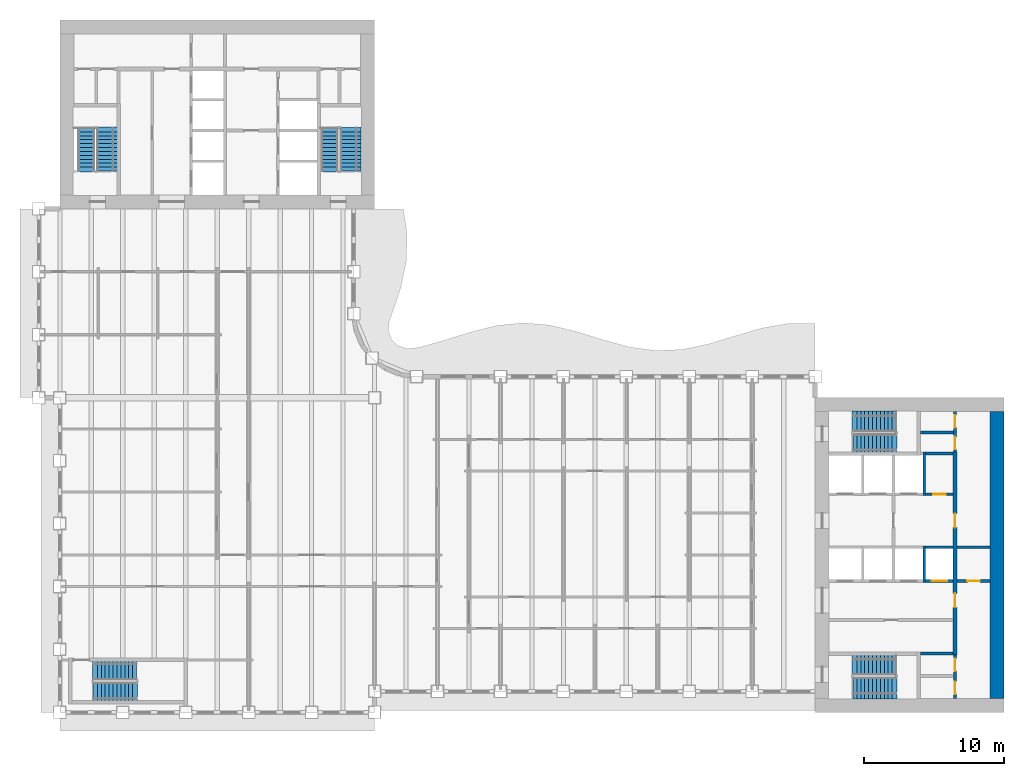
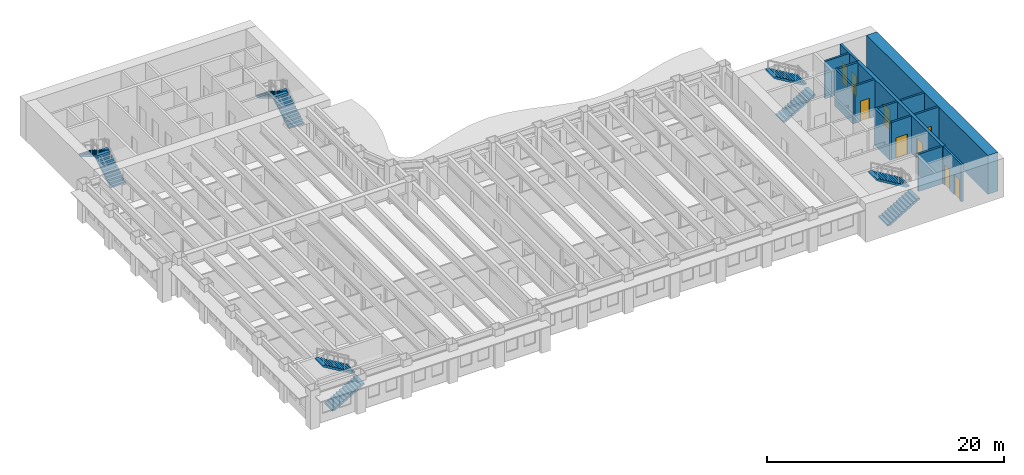
# One storey, part 10 of 16: 14 walls, 10 stair flights, 9 doors, 9 openings, 5 elements without a shape of their own.
"""IFC4 building model written with IfcOpenShell, lengths in metres."""

from ifc_helpers import new_model, si_unit, direction, frame, frame_2d, origin, place, context, subcontext, project, spatial, polyline, rectangle, outline, extrude, material, layer, layer_set, type_object, element, fill, aggregate, save


model = new_model("IFC4")

# Units and contexts
model_context = context("Model", 3, precision=1e-05, world=origin(), true_north=direction((0.0, 1.0)))
body_context = subcontext(model_context, "Body", "Model", "MODEL_VIEW")
ifc_project = project(units=[si_unit("LENGTHUNIT", "METRE"), si_unit("AREAUNIT", "SQUARE_METRE"), si_unit("VOLUMEUNIT", "CUBIC_METRE"), si_unit("PLANEANGLEUNIT", "RADIAN"), si_unit("MASSUNIT", "GRAM", prefix="KILO")], contexts=[model_context])

# Site, building, storey
site_placement = place(None, origin())
site = spatial("IfcSite", under=ifc_project, at=site_placement, CompositionType="ELEMENT")
building_placement = place(site_placement, origin())
building = spatial("IfcBuilding", under=site, at=building_placement, Name="Sennacour Bend Tower", CompositionType="ELEMENT")
storey_placement = place(building_placement, frame((0.0, 0.0, 179.0)))
storey = spatial("IfcBuildingStorey", under=building, at=storey_placement, Name="L41", CompositionType="ELEMENT", Elevation=179.0)

# Wall
ifc_material_1 = material(Name="Concrete C60/75", Category="concrete")
ifc_layer_1 = layer(ifc_material_1, 1.0, Name="Concrete C60/75", Category="concrete")
ifc_layer_set_1 = layer_set([ifc_layer_1], Name="Concrete C60/75")
wall_type_1 = type_object("IfcWallType", Name="Core wall 1000 C60/75", PredefinedType="SHEAR", material=ifc_layer_set_1)
wall_1_placement = place(storey_placement, frame((67.0, 1.0, -0.14990234375), z_axis=(0.0, 0.0, 1.0), x_axis=(0.0, 1.0, 0.0)))
element("IfcWall", 1, at=wall_1_placement, inside=storey, type_object=wall_type_1, Name="Core A wall L41 E", PredefinedType="SHEAR", context=body_context, shape_type="SweptSolid", body=[
    extrude(rectangle(XDim=20.5, YDim=1.0, at=frame_2d((10.25, 0.0))), origin(), (0.0, 0.0, 1.0), 4.0),
])

# Wall, openings, doors
ifc_material_2 = material(Name="Fire-rated plasterboard partition on steel studs", Category="steel")
ifc_layer_2 = layer(ifc_material_2, 0.199951171875, Name="Fire-rated plasterboard partition on steel studs", Category="steel")
ifc_layer_set_2 = layer_set([ifc_layer_2], Name="Fire-rated plasterboard partition on steel studs")
wall_type_2 = type_object("IfcWallType", Name="Rated partition 200", PredefinedType="PARTITIONING", material=ifc_layer_set_2)
wall_2_placement = place(storey_placement, frame((64.0, 1.0, 0.0), z_axis=(0.0, 0.0, 1.0), x_axis=(0.0, 1.0, 0.0)))
wall_2 = element("IfcWall", 2, at=wall_2_placement, inside=storey, type_object=wall_type_2, Name="P-L41-W049", PredefinedType="PARTITIONING", context=body_context, shape_type="SweptSolid", body=[
    extrude(rectangle(XDim=3.10009765625, YDim=0.199951171875, at=frame_2d((1.550048828125, 0.0))), origin(), (0.0, 0.0, 1.0), 3.85009765625),
])
opening_1_placement = place(wall_2_placement, frame((0.300048828125, 0.0, 0.0)))
opening_1 = element("IfcOpeningElement", 3, at=opening_1_placement, cuts=wall_2, Name="Opening SV", PredefinedType="OPENING", context=body_context, shape_type="SweptSolid", body=[
    extrude(rectangle(XDim=0.89990234375, YDim=2.10009765625, at=frame_2d((0.449951171875, 1.050048828125))), frame((0.0, 0.10986328125, 0.0), z_axis=(0.0, -1.0, 0.0), x_axis=(1.0, 0.0, 0.0)), (0.0, 0.0, 1.0), 0.219970703125),
])
opening_2_placement = place(wall_2_placement, frame((1.949951171875, 0.0, 0.0)))
opening_2 = element("IfcOpeningElement", 4, at=opening_2_placement, cuts=wall_2, Name="Opening WD", PredefinedType="OPENING", context=body_context, shape_type="SweptSolid", body=[
    extrude(rectangle(XDim=0.89990234375, YDim=2.10009765625, at=frame_2d((0.449951171875, 1.050048828125))), frame((0.0, 0.10986328125, 0.0), z_axis=(0.0, -1.0, 0.0), x_axis=(1.0, 0.0, 0.0)), (0.0, 0.0, 1.0), 0.219970703125),
])
ifc_material_3 = material(Name="Painted steel", Category="steel")
door_type_1 = type_object("IfcDoorType", Name="DR-SERVICE-900", OperationType="NOTDEFINED", PredefinedType="DOOR", material=ifc_material_3)
door_1_placement = place(opening_1_placement, origin())
door_1 = element("IfcDoor", 5, at=door_1_placement, inside=storey, type_object=door_type_1, Name="Door", OperationType="SINGLE_SWING_LEFT", OverallHeight=2.10009765625, OverallWidth=0.89990234375, PredefinedType="DOOR", context=body_context, shape_type="SweptSolid", body=[
    extrude(rectangle(XDim=0.89990234375, YDim=2.10009765625, at=frame_2d((0.449951171875, 1.050048828125))), frame((0.0, 0.02490234375, 0.0), z_axis=(0.0, -1.0, 0.0), x_axis=(1.0, 0.0, 0.0)), (0.0, 0.0, 1.0), 0.050048828125),
])
fill(opening_1, door_1)
ifc_material_4 = material(Name="Timber", Category="wood")
door_type_2 = type_object("IfcDoorType", Name="DR-WC-900", OperationType="NOTDEFINED", PredefinedType="DOOR", material=ifc_material_4)
door_2_placement = place(opening_2_placement, origin())
door_2 = element("IfcDoor", 6, at=door_2_placement, inside=storey, type_object=door_type_2, Name="Door", OperationType="SINGLE_SWING_RIGHT", OverallHeight=2.10009765625, OverallWidth=0.89990234375, PredefinedType="DOOR", context=body_context, shape_type="SweptSolid", body=[
    extrude(rectangle(XDim=0.89990234375, YDim=2.10009765625, at=frame_2d((0.449951171875, 1.050048828125))), frame((0.0, 0.02490234375, 0.0), z_axis=(0.0, -1.0, 0.0), x_axis=(1.0, 0.0, 0.0)), (0.0, 0.0, 1.0), 0.050048828125),
])
fill(opening_2, door_2)

wall_3_placement = place(storey_placement, frame((64.0, 18.60009765625, 0.0), z_axis=(0.0, 0.0, 1.0), x_axis=(0.0, 1.0, 0.0)))
wall_3 = element("IfcWall", 7, at=wall_3_placement, inside=storey, type_object=wall_type_2, Name="P-L41-W051", PredefinedType="PARTITIONING", context=body_context, shape_type="SweptSolid", body=[
    extrude(rectangle(XDim=2.89990234375, YDim=0.199951171875, at=frame_2d((1.449951171875, 0.0))), origin(), (0.0, 0.0, 1.0), 3.85009765625),
])
opening_3_placement = place(wall_3_placement, frame((0.199951171875, 0.0, 0.0)))
opening_3 = element("IfcOpeningElement", 8, at=opening_3_placement, cuts=wall_3, Name="Opening SV", PredefinedType="OPENING", context=body_context, shape_type="SweptSolid", body=[
    extrude(rectangle(XDim=0.89990234375, YDim=2.10009765625, at=frame_2d((0.449951171875, 1.050048828125))), frame((0.0, 0.10986328125, 0.0), z_axis=(0.0, -1.0, 0.0), x_axis=(1.0, 0.0, 0.0)), (0.0, 0.0, 1.0), 0.219970703125),
])
opening_4_placement = place(wall_3_placement, frame((1.75, 0.0, 0.0)))
opening_4 = element("IfcOpeningElement", 9, at=opening_4_placement, cuts=wall_3, Name="Opening SV", PredefinedType="OPENING", context=body_context, shape_type="SweptSolid", body=[
    extrude(rectangle(XDim=0.89990234375, YDim=2.10009765625, at=frame_2d((0.449951171875, 1.050048828125))), frame((0.0, 0.10986328125, 0.0), z_axis=(0.0, -1.0, 0.0), x_axis=(1.0, 0.0, 0.0)), (0.0, 0.0, 1.0), 0.219970703125),
])
door_3_placement = place(opening_3_placement, origin())
door_3 = element("IfcDoor", 10, at=door_3_placement, inside=storey, type_object=door_type_1, Name="Door", OperationType="SINGLE_SWING_LEFT", OverallHeight=2.10009765625, OverallWidth=0.89990234375, PredefinedType="DOOR", context=body_context, shape_type="SweptSolid", body=[
    extrude(rectangle(XDim=0.89990234375, YDim=2.10009765625, at=frame_2d((0.449951171875, 1.050048828125))), frame((0.0, 0.02490234375, 0.0), z_axis=(0.0, -1.0, 0.0), x_axis=(1.0, 0.0, 0.0)), (0.0, 0.0, 1.0), 0.050048828125),
])
fill(opening_3, door_3)
door_4_placement = place(opening_4_placement, origin())
door_4 = element("IfcDoor", 11, at=door_4_placement, inside=storey, type_object=door_type_1, Name="Door", OperationType="SINGLE_SWING_RIGHT", OverallHeight=2.10009765625, OverallWidth=0.89990234375, PredefinedType="DOOR", context=body_context, shape_type="SweptSolid", body=[
    extrude(rectangle(XDim=0.89990234375, YDim=2.10009765625, at=frame_2d((0.449951171875, 1.050048828125))), frame((0.0, 0.02490234375, 0.0), z_axis=(0.0, -1.0, 0.0), x_axis=(1.0, 0.0, 0.0)), (0.0, 0.0, 1.0), 0.050048828125),
])
fill(opening_4, door_4)

# Wall
wall_4_placement = place(storey_placement, frame((61.52490234375, 4.199951171875, 0.0), z_axis=(0.0, 0.0, 1.0), x_axis=(1.0, 0.0, 0.0)))
element("IfcWall", 12, at=wall_4_placement, inside=storey, type_object=wall_type_2, Name="P-L41-W060", PredefinedType="PARTITIONING", context=body_context, shape_type="SweptSolid", body=[
    extrude(rectangle(XDim=2.3251953125, YDim=0.199951171875, at=frame_2d((1.16259765625, 0.0))), origin(), (0.0, 0.0, 1.0), 3.85009765625),
])

# Wall, opening, door
wall_5_placement = place(storey_placement, frame((64.14990234375, 9.39990234375, 0.0), z_axis=(0.0, 0.0, 1.0), x_axis=(1.0, 0.0, 0.0)))
wall_5 = element("IfcWall", 13, at=wall_5_placement, inside=storey, type_object=wall_type_2, Name="P-L41-W066", PredefinedType="PARTITIONING", context=body_context, shape_type="SweptSolid", body=[
    extrude(rectangle(XDim=2.35009765625, YDim=0.199951171875, at=frame_2d((1.175048828125, 0.0))), origin(), (0.0, 0.0, 1.0), 3.85009765625),
])
opening_5_placement = place(wall_5_placement, frame((0.72509765625, 0.0, 0.0)))
opening_5 = element("IfcOpeningElement", 14, at=opening_5_placement, cuts=wall_5, Name="Opening SV", PredefinedType="OPENING", context=body_context, shape_type="SweptSolid", body=[
    extrude(rectangle(XDim=0.89990234375, YDim=2.10009765625, at=frame_2d((0.449951171875, 1.050048828125))), frame((0.0, 0.10986328125, 0.0), z_axis=(0.0, -1.0, 0.0), x_axis=(1.0, 0.0, 0.0)), (0.0, 0.0, 1.0), 0.219970703125),
])
door_5_placement = place(opening_5_placement, origin())
door_5 = element("IfcDoor", 15, at=door_5_placement, inside=storey, type_object=door_type_1, Name="Door", OperationType="SINGLE_SWING_LEFT", OverallHeight=2.10009765625, OverallWidth=0.89990234375, PredefinedType="DOOR", context=body_context, shape_type="SweptSolid", body=[
    extrude(rectangle(XDim=0.89990234375, YDim=2.10009765625, at=frame_2d((0.449951171875, 1.050048828125))), frame((0.0, 0.02490234375, 0.0), z_axis=(0.0, -1.0, 0.0), x_axis=(1.0, 0.0, 0.0)), (0.0, 0.0, 1.0), 0.050048828125),
])
fill(opening_5, door_5)

# Wall
wall_6_placement = place(storey_placement, frame((64.14990234375, 11.800048828125, 0.0), z_axis=(0.0, 0.0, 1.0), x_axis=(1.0, 0.0, 0.0)))
element("IfcWall", 16, at=wall_6_placement, inside=storey, type_object=wall_type_2, Name="P-L41-W070", PredefinedType="PARTITIONING", context=body_context, shape_type="SweptSolid", body=[
    extrude(rectangle(XDim=2.35009765625, YDim=0.199951171875, at=frame_2d((1.175048828125, 0.0))), origin(), (0.0, 0.0, 1.0), 3.85009765625),
])

# Wall, opening, door
wall_7_placement = place(storey_placement, frame((61.89990234375, 15.60009765625, 0.0), z_axis=(0.0, 0.0, 1.0), x_axis=(1.0, 0.0, 0.0)))
wall_7 = element("IfcWall", 17, at=wall_7_placement, inside=storey, type_object=wall_type_2, Name="P-L41-W073", PredefinedType="PARTITIONING", context=body_context, shape_type="SweptSolid", body=[
    extrude(rectangle(XDim=1.9501953125, YDim=0.199951171875, at=frame_2d((0.97509765625, 0.0))), origin(), (0.0, 0.0, 1.0), 3.85009765625),
])
opening_6_placement = place(wall_7_placement, frame((0.525146484375, 0.0, 0.0)))
opening_6 = element("IfcOpeningElement", 18, at=opening_6_placement, cuts=wall_7, Name="Opening SV", PredefinedType="OPENING", context=body_context, shape_type="SweptSolid", body=[
    extrude(rectangle(XDim=0.89990234375, YDim=2.10009765625, at=frame_2d((0.449951171875, 1.050048828125))), frame((0.0, 0.10986328125, 0.0), z_axis=(0.0, -1.0, 0.0), x_axis=(1.0, 0.0, 0.0)), (0.0, 0.0, 1.0), 0.219970703125),
])
door_6_placement = place(opening_6_placement, origin())
door_6 = element("IfcDoor", 19, at=door_6_placement, inside=storey, type_object=door_type_1, Name="Door", OperationType="SINGLE_SWING_LEFT", OverallHeight=2.10009765625, OverallWidth=0.89990234375, PredefinedType="DOOR", context=body_context, shape_type="SweptSolid", body=[
    extrude(rectangle(XDim=0.89990234375, YDim=2.10009765625, at=frame_2d((0.449951171875, 1.050048828125))), frame((0.0, 0.02490234375, 0.0), z_axis=(0.0, -1.0, 0.0), x_axis=(1.0, 0.0, 0.0)), (0.0, 0.0, 1.0), 0.050048828125),
])
fill(opening_6, door_6)

# Walls
wall_8_placement = place(storey_placement, frame((61.89990234375, 18.5, 0.0), z_axis=(0.0, 0.0, 1.0), x_axis=(1.0, 0.0, 0.0)))
element("IfcWall", 20, at=wall_8_placement, inside=storey, type_object=wall_type_2, Name="P-L41-W078", PredefinedType="PARTITIONING", context=body_context, shape_type="SweptSolid", body=[
    extrude(rectangle(XDim=1.9501953125, YDim=0.199951171875, at=frame_2d((0.97509765625, 0.0))), origin(), (0.0, 0.0, 1.0), 3.85009765625),
])
wall_9_placement = place(storey_placement, frame((61.52490234375, 20.0, 0.0), z_axis=(0.0, 0.0, 1.0), x_axis=(1.0, 0.0, 0.0)))
element("IfcWall", 21, at=wall_9_placement, inside=storey, type_object=wall_type_2, Name="P-L41-W080", PredefinedType="PARTITIONING", context=body_context, shape_type="SweptSolid", body=[
    extrude(rectangle(XDim=2.375, YDim=0.199951171875, at=frame_2d((1.1875, 0.0))), origin(), (0.0, 0.0, 1.0), 3.85009765625),
])
ifc_material_5 = material(Name="Concrete C50/60", Category="concrete")
ifc_layer_3 = layer(ifc_material_5, 0.199951171875, Name="Concrete C50/60", Category="concrete")
ifc_layer_set_3 = layer_set([ifc_layer_3], Name="Concrete C50/60")
wall_type_3 = type_object("IfcWallType", Name="Shaft wall 200", PredefinedType="SOLIDWALL", material=ifc_layer_set_3)
wall_10_placement = place(storey_placement, frame((61.800048828125, 9.300048828125, 0.0), z_axis=(0.0, 0.0, 1.0), x_axis=(0.0, 1.0, 0.0)))
element("IfcWall", 22, at=wall_10_placement, inside=storey, type_object=wall_type_3, Name="P-L41-W047", PredefinedType="SOLIDWALL", context=body_context, shape_type="SweptSolid", body=[
    extrude(rectangle(XDim=2.599853515625, YDim=0.199951171875, at=frame_2d((1.2998046875, 0.0))), origin(), (0.0, 0.0, 1.0), 3.85009765625),
])
wall_11_placement = place(storey_placement, frame((61.800048828125, 15.5, 0.0), z_axis=(0.0, 0.0, 1.0), x_axis=(0.0, 1.0, 0.0)))
element("IfcWall", 23, at=wall_11_placement, inside=storey, type_object=wall_type_3, Name="P-L41-W048", PredefinedType="SOLIDWALL", context=body_context, shape_type="SweptSolid", body=[
    extrude(rectangle(XDim=3.10009765625, YDim=0.199951171875, at=frame_2d((1.550048828125, 0.0))), origin(), (0.0, 0.0, 1.0), 3.85009765625),
])

# Wall, opening, door
wall_12_placement = place(storey_placement, frame((61.89990234375, 9.39990234375, 0.0), z_axis=(0.0, 0.0, 1.0), x_axis=(1.0, 0.0, 0.0)))
wall_12 = element("IfcWall", 24, at=wall_12_placement, inside=storey, type_object=wall_type_3, Name="P-L41-W065d", PredefinedType="SOLIDWALL", context=body_context, shape_type="SweptSolid", body=[
    extrude(rectangle(XDim=1.9501953125, YDim=0.199951171875, at=frame_2d((0.97509765625, 0.0))), origin(), (0.0, 0.0, 1.0), 3.85009765625),
])
opening_7_placement = place(wall_12_placement, frame((0.425048828125, 0.0, 0.011962890625)))
opening_7 = element("IfcOpeningElement", 25, at=opening_7_placement, cuts=wall_12, Name="Opening LD", PredefinedType="OPENING", context=body_context, shape_type="SweptSolid", body=[
    extrude(rectangle(XDim=1.10009765625, YDim=2.10009765625, at=frame_2d((0.550048828125, 1.050048828125))), frame((0.0, 0.10986328125, 0.0), z_axis=(0.0, -1.0, 0.0), x_axis=(1.0, 0.0, 0.0)), (0.0, 0.0, 1.0), 0.219970703125),
])
ifc_material_6 = material(Name="Stainless steel", Category="steel")
door_type_3 = type_object("IfcDoorType", Name="DR-LANDING-1100", OperationType="NOTDEFINED", PredefinedType="DOOR", material=ifc_material_6)
door_7_placement = place(opening_7_placement, origin())
door_7 = element("IfcDoor", 26, at=door_7_placement, inside=storey, type_object=door_type_3, Name="Lift landing door HA4", OperationType="SLIDING_TO_RIGHT", OverallHeight=2.10009765625, OverallWidth=1.10009765625, PredefinedType="DOOR", context=body_context, shape_type="SweptSolid", body=[
    extrude(rectangle(XDim=1.10009765625, YDim=2.10009765625, at=frame_2d((0.550048828125, 1.050048828125))), frame((0.0, 0.02490234375, 0.0), z_axis=(0.0, -1.0, 0.0), x_axis=(1.0, 0.0, 0.0)), (0.0, 0.0, 1.0), 0.050048828125),
])
fill(opening_7, door_7)

# Wall
wall_13_placement = place(storey_placement, frame((61.89990234375, 11.800048828125, 0.0), z_axis=(0.0, 0.0, 1.0), x_axis=(1.0, 0.0, 0.0)))
element("IfcWall", 27, at=wall_13_placement, inside=storey, type_object=wall_type_3, Name="P-L41-W069d", PredefinedType="SOLIDWALL", context=body_context, shape_type="SweptSolid", body=[
    extrude(rectangle(XDim=1.9501953125, YDim=0.199951171875, at=frame_2d((0.97509765625, 0.0))), origin(), (0.0, 0.0, 1.0), 3.85009765625),
])

# Wall, openings, doors
ifc_layer_4 = layer(ifc_material_1, 0.300048828125, Name="Concrete C60/75", Category="concrete")
ifc_layer_set_4 = layer_set([ifc_layer_4], Name="Concrete C60/75")
wall_type_4 = type_object("IfcWallType", Name="Spine wall 300", PredefinedType="SHEAR", material=ifc_layer_set_4)
wall_14_placement = place(storey_placement, frame((64.0, 4.10009765625, 0.0), z_axis=(0.0, 0.0, 1.0), x_axis=(0.0, 1.0, 0.0)))
wall_14 = element("IfcWall", 28, at=wall_14_placement, inside=storey, type_object=wall_type_4, Name="P-L41-W050", PredefinedType="SHEAR", context=body_context, shape_type="SweptSolid", body=[
    extrude(rectangle(XDim=14.5, YDim=0.300048828125, at=frame_2d((7.25, 0.0))), origin(), (0.0, 0.0, 1.0), 3.85009765625),
])
opening_8_placement = place(wall_14_placement, frame((3.39990234375, 0.0, 0.0)))
opening_8 = element("IfcOpeningElement", 29, at=opening_8_placement, cuts=wall_14, Name="Opening CD2", PredefinedType="OPENING", context=body_context, shape_type="SweptSolid", body=[
    extrude(rectangle(XDim=1.0, YDim=2.10009765625, at=frame_2d((0.5, 1.050048828125))), frame((0.0, 0.16015625, 0.0), z_axis=(0.0, -1.0, 0.0), x_axis=(1.0, 0.0, 0.0)), (0.0, 0.0, 1.0), 0.320068359375),
])
opening_9_placement = place(wall_14_placement, frame((9.099853515625, 0.0, 0.0)))
opening_9 = element("IfcOpeningElement", 30, at=opening_9_placement, cuts=wall_14, Name="Opening CD2", PredefinedType="OPENING", context=body_context, shape_type="SweptSolid", body=[
    extrude(rectangle(XDim=1.0, YDim=2.10009765625, at=frame_2d((0.5, 1.050048828125))), frame((0.0, 0.16015625, 0.0), z_axis=(0.0, -1.0, 0.0), x_axis=(1.0, 0.0, 0.0)), (0.0, 0.0, 1.0), 0.320068359375),
])
door_type_4 = type_object("IfcDoorType", Name="DR-LOBBY-1000", OperationType="NOTDEFINED", PredefinedType="DOOR", material=ifc_material_3)
door_8_placement = place(opening_8_placement, origin())
door_8 = element("IfcDoor", 31, at=door_8_placement, inside=storey, type_object=door_type_4, Name="Door", OperationType="SINGLE_SWING_LEFT", OverallHeight=2.10009765625, OverallWidth=1.0, PredefinedType="DOOR", context=body_context, shape_type="SweptSolid", body=[
    extrude(rectangle(XDim=1.0, YDim=2.10009765625, at=frame_2d((0.5, 1.050048828125))), frame((0.0, 0.02490234375, 0.0), z_axis=(0.0, -1.0, 0.0), x_axis=(1.0, 0.0, 0.0)), (0.0, 0.0, 1.0), 0.050048828125),
])
fill(opening_8, door_8)
door_9_placement = place(opening_9_placement, origin())
door_9 = element("IfcDoor", 32, at=door_9_placement, inside=storey, type_object=door_type_4, Name="Door", OperationType="SINGLE_SWING_RIGHT", OverallHeight=2.10009765625, OverallWidth=1.0, PredefinedType="DOOR", context=body_context, shape_type="SweptSolid", body=[
    extrude(rectangle(XDim=1.0, YDim=2.10009765625, at=frame_2d((0.5, 1.050048828125))), frame((0.0, 0.02490234375, 0.0), z_axis=(0.0, -1.0, 0.0), x_axis=(1.0, 0.0, 0.0)), (0.0, 0.0, 1.0), 0.050048828125),
])
fill(opening_9, door_9)

# Stair, stair flights
ifc_material_7 = material(Name="Concrete C40/50", Category="concrete")
stair_type = type_object("IfcStairType", Name="ST-DOGLEG", PredefinedType="HALF_TURN_STAIR", material=ifc_material_7)
stair_1_placement = place(storey_placement, origin())
stair_1 = element("IfcStair", 33, at=stair_1_placement, inside=storey, type_object=stair_type, Name="L41 Exit stair A1", PredefinedType="HALF_TURN_STAIR")
stair_flight_type = type_object("IfcStairFlightType", Name="SFL-RC", PredefinedType="STRAIGHT", material=ifc_material_7)
stair_flight_1_placement = place(storey_placement, frame((56.699951171875, 1.735107421875, 0.0), z_axis=(0.0, 0.0, 1.0), x_axis=(1.0, 0.0, 0.0)))
stair_flight_1 = element("IfcStairFlight", 34, at=stair_flight_1_placement, type_object=stair_flight_type, Name="SA1 flight 1", NumberOfRisers=12, NumberOfTreads=11, PredefinedType="STRAIGHT", RiserHeight=0.166666667, TreadLength=0.28, context=body_context, shape_type="SweptSolid", body=[
    extrude(outline(polyline([(0.0, 0.0), (0.0, 0.166748046875), (0.280029296875, 0.166748046875), (0.280029296875, 0.333251953125), (0.56005859375, 0.333251953125), (0.56005859375, 0.5), (0.840087890625, 0.5), (0.840087890625, 0.666748046875), (1.1201171875, 0.666748046875), (1.1201171875, 0.833251953125), (1.39990234375, 0.833251953125), (1.39990234375, 1.0), (1.679931640625, 1.0), (1.679931640625, 1.166748046875), (1.9599609375, 1.166748046875), (1.9599609375, 1.333251953125), (2.239990234375, 1.333251953125), (2.239990234375, 1.5), (2.52001953125, 1.5), (2.52001953125, 1.666748046875), (2.800048828125, 1.666748046875), (2.800048828125, 1.833251953125), (3.080078125, 1.833251953125), (3.139892578125, 1.833251953125), (3.139892578125, 1.658935546875), (3.080078125, 1.658935546875), (0.29296875, 0.0), (0.0, 0.0)])), frame((0.0, 0.76513671875, 0.0), z_axis=(0.0, -1.0, 0.0), x_axis=(1.0, 0.0, 0.0)), (0.0, 0.0, 1.0), 1.530029296875),
])
stair_flight_2_placement = place(storey_placement, frame((59.780029296875, 3.37744140625, 2.0), z_axis=(0.0, 0.0, 1.0), x_axis=(-1.0, 0.0, 0.0)))
stair_flight_2 = element("IfcStairFlight", 35, at=stair_flight_2_placement, type_object=stair_flight_type, Name="SA1 flight 2", NumberOfRisers=12, NumberOfTreads=11, PredefinedType="STRAIGHT", RiserHeight=0.166666667, TreadLength=0.28, context=body_context, shape_type="SweptSolid", body=[
    extrude(outline(polyline([(0.0, 0.0), (0.0, 0.166748046875), (0.280029296875, 0.166748046875), (0.280029296875, 0.333251953125), (0.56005859375, 0.333251953125), (0.56005859375, 0.5), (0.840087890625, 0.5), (0.840087890625, 0.666748046875), (1.1201171875, 0.666748046875), (1.1201171875, 0.833251953125), (1.39990234375, 0.833251953125), (1.39990234375, 1.0), (1.679931640625, 1.0), (1.679931640625, 1.166748046875), (1.9599609375, 1.166748046875), (1.9599609375, 1.333251953125), (2.239990234375, 1.333251953125), (2.239990234375, 1.5), (2.52001953125, 1.5), (2.52001953125, 1.666748046875), (2.800048828125, 1.666748046875), (2.800048828125, 1.833251953125), (3.080078125, 1.833251953125), (3.139892578125, 1.833251953125), (3.139892578125, 1.658935546875), (3.080078125, 1.658935546875), (0.29296875, 0.0), (0.0, 0.0)])), frame((0.0, 0.7275390625, 0.0), z_axis=(0.0, -1.0, 0.0), x_axis=(1.0, 0.0, 0.0)), (0.0, 0.0, 1.0), 1.455078125),
])
aggregate(stair_1, [stair_flight_1, stair_flight_2])

stair_2_placement = place(storey_placement, origin())
stair_2 = element("IfcStair", 36, at=stair_2_placement, inside=storey, type_object=stair_type, Name="L41 Exit stair A2", PredefinedType="HALF_TURN_STAIR")
stair_flight_3_placement = place(storey_placement, frame((56.699951171875, 19.24755859375, 0.0), z_axis=(0.0, 0.0, 1.0), x_axis=(1.0, 0.0, 0.0)))
stair_flight_3 = element("IfcStairFlight", 37, at=stair_flight_3_placement, type_object=stair_flight_type, Name="SA2 flight 1", NumberOfRisers=12, NumberOfTreads=11, PredefinedType="STRAIGHT", RiserHeight=0.166666667, TreadLength=0.28, context=body_context, shape_type="SweptSolid", body=[
    extrude(outline(polyline([(0.0, 0.0), (0.0, 0.166748046875), (0.280029296875, 0.166748046875), (0.280029296875, 0.333251953125), (0.56005859375, 0.333251953125), (0.56005859375, 0.5), (0.840087890625, 0.5), (0.840087890625, 0.666748046875), (1.1201171875, 0.666748046875), (1.1201171875, 0.833251953125), (1.39990234375, 0.833251953125), (1.39990234375, 1.0), (1.679931640625, 1.0), (1.679931640625, 1.166748046875), (1.9599609375, 1.166748046875), (1.9599609375, 1.333251953125), (2.239990234375, 1.333251953125), (2.239990234375, 1.5), (2.52001953125, 1.5), (2.52001953125, 1.666748046875), (2.800048828125, 1.666748046875), (2.800048828125, 1.833251953125), (3.080078125, 1.833251953125), (3.139892578125, 1.833251953125), (3.139892578125, 1.658935546875), (3.080078125, 1.658935546875), (0.29296875, 0.0), (0.0, 0.0)])), frame((0.0, 0.65234375, 0.0), z_axis=(0.0, -1.0, 0.0), x_axis=(1.0, 0.0, 0.0)), (0.0, 0.0, 1.0), 1.304931640625),
])
stair_flight_4_placement = place(storey_placement, frame((59.780029296875, 20.7900390625, 2.0), z_axis=(0.0, 0.0, 1.0), x_axis=(-1.0, 0.0, 0.0)))
stair_flight_4 = element("IfcStairFlight", 38, at=stair_flight_4_placement, type_object=stair_flight_type, Name="SA2 flight 2", NumberOfRisers=12, NumberOfTreads=11, PredefinedType="STRAIGHT", RiserHeight=0.166666667, TreadLength=0.28, context=body_context, shape_type="SweptSolid", body=[
    extrude(outline(polyline([(0.0, 0.0), (0.0, 0.166748046875), (0.280029296875, 0.166748046875), (0.280029296875, 0.333251953125), (0.56005859375, 0.333251953125), (0.56005859375, 0.5), (0.840087890625, 0.5), (0.840087890625, 0.666748046875), (1.1201171875, 0.666748046875), (1.1201171875, 0.833251953125), (1.39990234375, 0.833251953125), (1.39990234375, 1.0), (1.679931640625, 1.0), (1.679931640625, 1.166748046875), (1.9599609375, 1.166748046875), (1.9599609375, 1.333251953125), (2.239990234375, 1.333251953125), (2.239990234375, 1.5), (2.52001953125, 1.5), (2.52001953125, 1.666748046875), (2.800048828125, 1.666748046875), (2.800048828125, 1.833251953125), (3.080078125, 1.833251953125), (3.139892578125, 1.833251953125), (3.139892578125, 1.658935546875), (3.080078125, 1.658935546875), (0.29296875, 0.0), (0.0, 0.0)])), frame((0.0, 0.739990234375, 0.0), z_axis=(0.0, -1.0, 0.0), x_axis=(1.0, 0.0, 0.0)), (0.0, 0.0, 1.0), 1.47998046875),
])
aggregate(stair_2, [stair_flight_3, stair_flight_4])

stair_3_placement = place(storey_placement, origin())
stair_3 = element("IfcStair", 39, at=stair_3_placement, inside=storey, type_object=stair_type, Name="L41 Exit stair B1", PredefinedType="HALF_TURN_STAIR")
stair_flight_5_placement = place(storey_placement, frame((3.37744140625, 38.699951171875, 0.0), z_axis=(0.0, 0.0, 1.0), x_axis=(0.0, 1.0, 0.0)))
stair_flight_5 = element("IfcStairFlight", 40, at=stair_flight_5_placement, type_object=stair_flight_type, Name="SB1 flight 1", NumberOfRisers=12, NumberOfTreads=11, PredefinedType="STRAIGHT", RiserHeight=0.166666667, TreadLength=0.28, context=body_context, shape_type="SweptSolid", body=[
    extrude(outline(polyline([(0.0, 0.0), (0.0, 0.166748046875), (0.280029296875, 0.166748046875), (0.280029296875, 0.333251953125), (0.56005859375, 0.333251953125), (0.56005859375, 0.5), (0.840087890625, 0.5), (0.840087890625, 0.666748046875), (1.1201171875, 0.666748046875), (1.1201171875, 0.833251953125), (1.39990234375, 0.833251953125), (1.39990234375, 1.0), (1.679931640625, 1.0), (1.679931640625, 1.166748046875), (1.9599609375, 1.166748046875), (1.9599609375, 1.333251953125), (2.239990234375, 1.333251953125), (2.239990234375, 1.5), (2.52001953125, 1.5), (2.52001953125, 1.666748046875), (2.800048828125, 1.666748046875), (2.800048828125, 1.833251953125), (3.080078125, 1.833251953125), (3.139892578125, 1.833251953125), (3.139892578125, 1.658935546875), (3.080078125, 1.658935546875), (0.29296875, 0.0), (0.0, 0.0)])), frame((0.0, 0.7275390625, 0.0), z_axis=(0.0, -1.0, 0.0), x_axis=(1.0, 0.0, 0.0)), (0.0, 0.0, 1.0), 1.455078125),
])
stair_flight_6_placement = place(storey_placement, frame((1.89990234375, 41.780029296875, 2.0), z_axis=(0.0, 0.0, 1.0), x_axis=(0.0, -1.0, 0.0)))
stair_flight_6 = element("IfcStairFlight", 41, at=stair_flight_6_placement, type_object=stair_flight_type, Name="SB1 flight 2", NumberOfRisers=12, NumberOfTreads=11, PredefinedType="STRAIGHT", RiserHeight=0.166666667, TreadLength=0.28, context=body_context, shape_type="SweptSolid", body=[
    extrude(outline(polyline([(0.0, 0.0), (0.0, 0.166748046875), (0.280029296875, 0.166748046875), (0.280029296875, 0.333251953125), (0.56005859375, 0.333251953125), (0.56005859375, 0.5), (0.840087890625, 0.5), (0.840087890625, 0.666748046875), (1.1201171875, 0.666748046875), (1.1201171875, 0.833251953125), (1.39990234375, 0.833251953125), (1.39990234375, 1.0), (1.679931640625, 1.0), (1.679931640625, 1.166748046875), (1.9599609375, 1.166748046875), (1.9599609375, 1.333251953125), (2.239990234375, 1.333251953125), (2.239990234375, 1.5), (2.52001953125, 1.5), (2.52001953125, 1.666748046875), (2.800048828125, 1.666748046875), (2.800048828125, 1.833251953125), (3.080078125, 1.833251953125), (3.139892578125, 1.833251953125), (3.139892578125, 1.658935546875), (3.080078125, 1.658935546875), (0.29296875, 0.0), (0.0, 0.0)])), frame((0.0, 0.60009765625, 0.0), z_axis=(0.0, -1.0, 0.0), x_axis=(1.0, 0.0, 0.0)), (0.0, 0.0, 1.0), 1.199951171875),
])
aggregate(stair_3, [stair_flight_5, stair_flight_6])

stair_4_placement = place(storey_placement, origin())
stair_4 = element("IfcStair", 42, at=stair_4_placement, inside=storey, type_object=stair_type, Name="L41 Exit stair B2", PredefinedType="HALF_TURN_STAIR")
stair_flight_7_placement = place(storey_placement, frame((20.7900390625, 38.699951171875, 0.0), z_axis=(0.0, 0.0, 1.0), x_axis=(0.0, 1.0, 0.0)))
stair_flight_7 = element("IfcStairFlight", 43, at=stair_flight_7_placement, type_object=stair_flight_type, Name="SB2 flight 1", NumberOfRisers=12, NumberOfTreads=11, PredefinedType="STRAIGHT", RiserHeight=0.166666667, TreadLength=0.28, context=body_context, shape_type="SweptSolid", body=[
    extrude(outline(polyline([(0.0, 0.0), (0.0, 0.166748046875), (0.280029296875, 0.166748046875), (0.280029296875, 0.333251953125), (0.56005859375, 0.333251953125), (0.56005859375, 0.5), (0.840087890625, 0.5), (0.840087890625, 0.666748046875), (1.1201171875, 0.666748046875), (1.1201171875, 0.833251953125), (1.39990234375, 0.833251953125), (1.39990234375, 1.0), (1.679931640625, 1.0), (1.679931640625, 1.166748046875), (1.9599609375, 1.166748046875), (1.9599609375, 1.333251953125), (2.239990234375, 1.333251953125), (2.239990234375, 1.5), (2.52001953125, 1.5), (2.52001953125, 1.666748046875), (2.800048828125, 1.666748046875), (2.800048828125, 1.833251953125), (3.080078125, 1.833251953125), (3.139892578125, 1.833251953125), (3.139892578125, 1.658935546875), (3.080078125, 1.658935546875), (0.29296875, 0.0), (0.0, 0.0)])), frame((0.0, 0.739990234375, 0.0), z_axis=(0.0, -1.0, 0.0), x_axis=(1.0, 0.0, 0.0)), (0.0, 0.0, 1.0), 1.47998046875),
])
stair_flight_8_placement = place(storey_placement, frame((19.24755859375, 41.780029296875, 2.0), z_axis=(0.0, 0.0, 1.0), x_axis=(0.0, -1.0, 0.0)))
stair_flight_8 = element("IfcStairFlight", 44, at=stair_flight_8_placement, type_object=stair_flight_type, Name="SB2 flight 2", NumberOfRisers=12, NumberOfTreads=11, PredefinedType="STRAIGHT", RiserHeight=0.166666667, TreadLength=0.28, context=body_context, shape_type="SweptSolid", body=[
    extrude(outline(polyline([(0.0, 0.0), (0.0, 0.166748046875), (0.280029296875, 0.166748046875), (0.280029296875, 0.333251953125), (0.56005859375, 0.333251953125), (0.56005859375, 0.5), (0.840087890625, 0.5), (0.840087890625, 0.666748046875), (1.1201171875, 0.666748046875), (1.1201171875, 0.833251953125), (1.39990234375, 0.833251953125), (1.39990234375, 1.0), (1.679931640625, 1.0), (1.679931640625, 1.166748046875), (1.9599609375, 1.166748046875), (1.9599609375, 1.333251953125), (2.239990234375, 1.333251953125), (2.239990234375, 1.5), (2.52001953125, 1.5), (2.52001953125, 1.666748046875), (2.800048828125, 1.666748046875), (2.800048828125, 1.833251953125), (3.080078125, 1.833251953125), (3.139892578125, 1.833251953125), (3.139892578125, 1.658935546875), (3.080078125, 1.658935546875), (0.29296875, 0.0), (0.0, 0.0)])), frame((0.0, 0.65234375, 0.0), z_axis=(0.0, -1.0, 0.0), x_axis=(1.0, 0.0, 0.0)), (0.0, 0.0, 1.0), 1.304931640625),
])
aggregate(stair_4, [stair_flight_7, stair_flight_8])

stair_5_placement = place(storey_placement, origin())
stair_5 = element("IfcStair", 45, at=stair_5_placement, inside=storey, type_object=stair_type, Name="L41 Exit stair K1", PredefinedType="HALF_TURN_STAIR")
stair_flight_9_placement = place(storey_placement, frame((2.39990234375, 1.485107421875, 0.0), z_axis=(0.0, 0.0, 1.0), x_axis=(1.0, 0.0, 0.0)))
stair_flight_9 = element("IfcStairFlight", 46, at=stair_flight_9_placement, type_object=stair_flight_type, Name="SK1 flight 1", NumberOfRisers=12, NumberOfTreads=11, PredefinedType="STRAIGHT", RiserHeight=0.166666667, TreadLength=0.28, context=body_context, shape_type="SweptSolid", body=[
    extrude(outline(polyline([(0.0, 0.0), (0.0, 0.166748046875), (0.280029296875, 0.166748046875), (0.280029296875, 0.333251953125), (0.56005859375, 0.333251953125), (0.56005859375, 0.5), (0.840087890625, 0.5), (0.840087890625, 0.666748046875), (1.1201171875, 0.666748046875), (1.1201171875, 0.833251953125), (1.39990234375, 0.833251953125), (1.39990234375, 1.0), (1.679931640625, 1.0), (1.679931640625, 1.166748046875), (1.9599609375, 1.166748046875), (1.9599609375, 1.333251953125), (2.239990234375, 1.333251953125), (2.239990234375, 1.5), (2.52001953125, 1.5), (2.52001953125, 1.666748046875), (2.800048828125, 1.666748046875), (2.800048828125, 1.833251953125), (3.080078125, 1.833251953125), (3.139892578125, 1.833251953125), (3.139892578125, 1.658935546875), (3.080078125, 1.658935546875), (0.29296875, 0.0), (0.0, 0.0)])), frame((0.0, 0.6650390625, 0.0), z_axis=(0.0, -1.0, 0.0), x_axis=(1.0, 0.0, 0.0)), (0.0, 0.0, 1.0), 1.330078125),
])
stair_flight_10_placement = place(storey_placement, frame((5.47998046875, 2.9775390625, 2.0), z_axis=(0.0, 0.0, 1.0), x_axis=(-1.0, 0.0, 0.0)))
stair_flight_10 = element("IfcStairFlight", 47, at=stair_flight_10_placement, type_object=stair_flight_type, Name="SK1 flight 2", NumberOfRisers=12, NumberOfTreads=11, PredefinedType="STRAIGHT", RiserHeight=0.166666667, TreadLength=0.28, context=body_context, shape_type="SweptSolid", body=[
    extrude(outline(polyline([(0.0, 0.0), (0.0, 0.166748046875), (0.280029296875, 0.166748046875), (0.280029296875, 0.333251953125), (0.56005859375, 0.333251953125), (0.56005859375, 0.5), (0.840087890625, 0.5), (0.840087890625, 0.666748046875), (1.1201171875, 0.666748046875), (1.1201171875, 0.833251953125), (1.39990234375, 0.833251953125), (1.39990234375, 1.0), (1.679931640625, 1.0), (1.679931640625, 1.166748046875), (1.9599609375, 1.166748046875), (1.9599609375, 1.333251953125), (2.239990234375, 1.333251953125), (2.239990234375, 1.5), (2.52001953125, 1.5), (2.52001953125, 1.666748046875), (2.800048828125, 1.666748046875), (2.800048828125, 1.833251953125), (3.080078125, 1.833251953125), (3.139892578125, 1.833251953125), (3.139892578125, 1.658935546875), (3.080078125, 1.658935546875), (0.29296875, 0.0), (0.0, 0.0)])), frame((0.0, 0.677490234375, 0.0), z_axis=(0.0, -1.0, 0.0), x_axis=(1.0, 0.0, 0.0)), (0.0, 0.0, 1.0), 1.35498046875),
])
aggregate(stair_5, [stair_flight_9, stair_flight_10])

save(model, "model.ifc")
